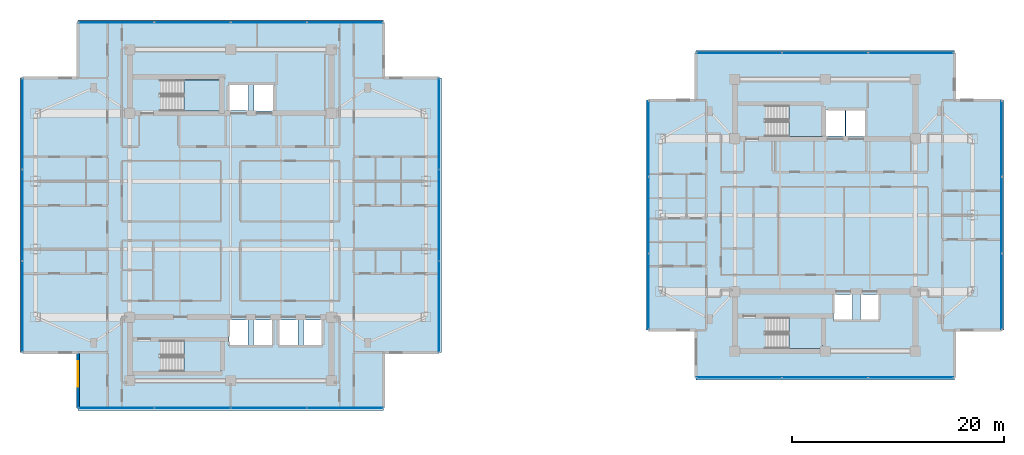
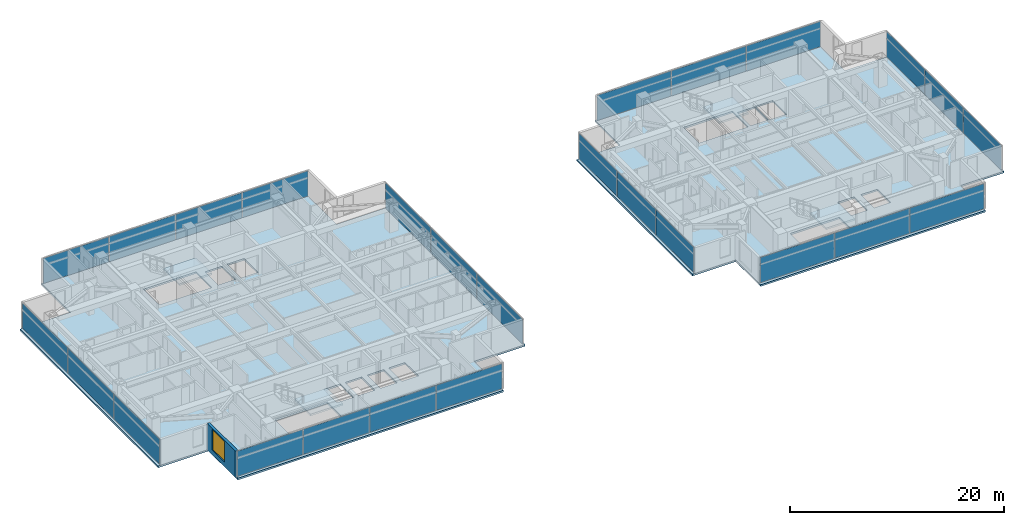
# One storey, part 11 of 24: 26 plates, 6 slabs, 1 wall, 1 window, 1 opening, 12 elements without a shape of their own.
"""IFC4 building model written with IfcOpenShell, lengths in metres."""

from ifc_helpers import new_model, si_unit, direction, frame, frame_2d, origin, origin_2d, place, context, subcontext, project, spatial, polyline, rectangle, outline, extrude, material, layer, layer_set, type_object, element, fill, aggregate, save


model = new_model("IFC4")

# Units and contexts
model_context = context("Model", 3, precision=1e-05, world=origin(), true_north=direction((0.0, 1.0)))
body_context = subcontext(model_context, "Body", "Model", "MODEL_VIEW")
ifc_project = project(units=[si_unit("LENGTHUNIT", "METRE"), si_unit("AREAUNIT", "SQUARE_METRE"), si_unit("VOLUMEUNIT", "CUBIC_METRE"), si_unit("PLANEANGLEUNIT", "RADIAN"), si_unit("MASSUNIT", "GRAM", prefix="KILO")], contexts=[model_context])

# Site, building, storey
site_placement = place(None, origin())
site = spatial("IfcSite", under=ifc_project, at=site_placement, CompositionType="ELEMENT")
building_placement = place(site_placement, origin())
building = spatial("IfcBuilding", under=site, at=building_placement, Name="Mirazonda Arch Towers", CompositionType="ELEMENT")
storey_placement = place(building_placement, frame((0.0, 0.0, 154.39990234375)))
storey = spatial("IfcBuildingStorey", under=building, at=storey_placement, Name="L43", CompositionType="ELEMENT", Elevation=154.39990234375)

# Curtain wall, plates
ifc_material_1 = material(Name="Anodised Aluminium and Low-E Glass", Category="aluminium")
curtain_wall_type = type_object("IfcCurtainWallType", Name="CW-RES-UNIT", PredefinedType="NOTDEFINED", material=ifc_material_1)
curtain_wall_1_placement = place(storey_placement, origin())
curtain_wall_1 = element("IfcCurtainWall", 1, at=curtain_wall_1_placement, inside=storey, type_object=curtain_wall_type, Name="L43 T1 S Facade CW-L43-T1-S", PredefinedType="NOTDEFINED")
ifc_material_2 = material(Name="Insulated Low-E Solar Glass", Category="glass")
ifc_layer_1 = layer(ifc_material_2, 0.0400390625, Name="PAN-CW-RES-UNIT")
ifc_layer_set_1 = layer_set([ifc_layer_1], Name="Insulated Low-E Solar Glass")
plate_type = type_object("IfcPlateType", Name="PAN-CW-RES-UNIT", PredefinedType="CURTAIN_PANEL", material=ifc_layer_set_1)
plate_1_placement = place(storey_placement, frame((31.27001953125, 9.830078125, 0.0751953125), z_axis=(0.0, 0.0, 1.0), x_axis=(-1.0, 0.0, 0.0)))
plate_1 = element("IfcPlate", 2, at=plate_1_placement, type_object=plate_type, Name="CW-104 panel 1.1", PredefinedType="CURTAIN_PANEL", context=body_context, shape_type="SweptSolid", body=[
    extrude(rectangle(XDim=7.080078125, YDim=0.0400390625, at=origin_2d()), origin(), (0.0, 0.0, 1.0), 2.8798828125),
])
plate_2_placement = place(storey_placement, frame((24.09619140625, 9.830078125, 0.0751953125), z_axis=(0.0, 0.0, 1.0), x_axis=(-1.0, 0.0, 0.0)))
plate_2 = element("IfcPlate", 3, at=plate_2_placement, type_object=plate_type, Name="CW-104 panel 2.1", PredefinedType="CURTAIN_PANEL", context=body_context, shape_type="SweptSolid", body=[
    extrude(rectangle(XDim=7.117431640625, YDim=0.0400390625, at=origin_2d()), origin(), (0.0, 0.0, 1.0), 2.8798828125),
])
plate_3_placement = place(storey_placement, frame((16.90380859375, 9.830078125, 0.0751953125), z_axis=(0.0, 0.0, 1.0), x_axis=(-1.0, 0.0, 0.0)))
plate_3 = element("IfcPlate", 4, at=plate_3_placement, type_object=plate_type, Name="CW-104 panel 3.1", PredefinedType="CURTAIN_PANEL", context=body_context, shape_type="SweptSolid", body=[
    extrude(rectangle(XDim=7.117431640625, YDim=0.0400390625, at=origin_2d()), origin(), (0.0, 0.0, 1.0), 2.8798828125),
])
plate_4_placement = place(storey_placement, frame((9.72998046875, 9.830078125, 0.0751953125), z_axis=(0.0, 0.0, 1.0), x_axis=(-1.0, 0.0, 0.0)))
plate_4 = element("IfcPlate", 5, at=plate_4_placement, type_object=plate_type, Name="CW-104 panel 4.1", PredefinedType="CURTAIN_PANEL", context=body_context, shape_type="SweptSolid", body=[
    extrude(rectangle(XDim=7.080078125, YDim=0.0400390625, at=origin_2d()), origin(), (0.0, 0.0, 1.0), 2.8798828125),
])
aggregate(curtain_wall_1, [plate_1, plate_2, plate_3, plate_4])

curtain_wall_2_placement = place(storey_placement, origin())
curtain_wall_2 = element("IfcCurtainWall", 6, at=curtain_wall_2_placement, inside=storey, type_object=curtain_wall_type, Name="L43 T1 E Facade CW-L43-T1-E", PredefinedType="NOTDEFINED")
plate_5_placement = place(storey_placement, frame((40.1298828125, 19.402099609375, 0.0751953125), z_axis=(0.0, 0.0, 1.0), x_axis=(0.0, 1.0, 0.0)))
plate_5 = element("IfcPlate", 7, at=plate_5_placement, type_object=plate_type, Name="CW-104 panel 1.1", PredefinedType="CURTAIN_PANEL", context=body_context, shape_type="SweptSolid", body=[
    extrude(rectangle(XDim=8.504150390625, YDim=0.0400390625, at=origin_2d()), origin(), (0.0, 0.0, 1.0), 2.8798828125),
])
plate_6_placement = place(storey_placement, frame((40.1298828125, 28.0, 0.0751953125), z_axis=(0.0, 0.0, 1.0), x_axis=(0.0, 1.0, 0.0)))
plate_6 = element("IfcPlate", 8, at=plate_6_placement, type_object=plate_type, Name="CW-104 panel 2.1", PredefinedType="CURTAIN_PANEL", context=body_context, shape_type="SweptSolid", body=[
    extrude(rectangle(XDim=8.541748046875, YDim=0.0400390625, at=origin_2d()), origin(), (0.0, 0.0, 1.0), 2.8798828125),
])
plate_7_placement = place(storey_placement, frame((40.1298828125, 36.597900390625, 0.0751953125), z_axis=(0.0, 0.0, 1.0), x_axis=(0.0, 1.0, 0.0)))
plate_7 = element("IfcPlate", 9, at=plate_7_placement, type_object=plate_type, Name="CW-104 panel 3.1", PredefinedType="CURTAIN_PANEL", context=body_context, shape_type="SweptSolid", body=[
    extrude(rectangle(XDim=8.504150390625, YDim=0.0400390625, at=origin_2d()), origin(), (0.0, 0.0, 1.0), 2.8798828125),
])
aggregate(curtain_wall_2, [plate_5, plate_6, plate_7])

curtain_wall_3_placement = place(storey_placement, origin())
curtain_wall_3 = element("IfcCurtainWall", 10, at=curtain_wall_3_placement, inside=storey, type_object=curtain_wall_type, Name="L43 T1 N Facade CW-L43-T1-N", PredefinedType="NOTDEFINED")
plate_8_placement = place(storey_placement, frame((9.72998046875, 46.169921875, 0.0751953125), z_axis=(0.0, 0.0, 1.0), x_axis=(1.0, 0.0, 0.0)))
plate_8 = element("IfcPlate", 11, at=plate_8_placement, type_object=plate_type, Name="CW-104 panel 1.1", PredefinedType="CURTAIN_PANEL", context=body_context, shape_type="SweptSolid", body=[
    extrude(rectangle(XDim=7.080078125, YDim=0.0400390625, at=origin_2d()), origin(), (0.0, 0.0, 1.0), 2.8798828125),
])
plate_9_placement = place(storey_placement, frame((16.90380859375, 46.169921875, 0.0751953125), z_axis=(0.0, 0.0, 1.0), x_axis=(1.0, 0.0, 0.0)))
plate_9 = element("IfcPlate", 12, at=plate_9_placement, type_object=plate_type, Name="CW-104 panel 2.1", PredefinedType="CURTAIN_PANEL", context=body_context, shape_type="SweptSolid", body=[
    extrude(rectangle(XDim=7.117431640625, YDim=0.0400390625, at=origin_2d()), origin(), (0.0, 0.0, 1.0), 2.8798828125),
])
plate_10_placement = place(storey_placement, frame((24.09619140625, 46.169921875, 0.0751953125), z_axis=(0.0, 0.0, 1.0), x_axis=(1.0, 0.0, 0.0)))
plate_10 = element("IfcPlate", 13, at=plate_10_placement, type_object=plate_type, Name="CW-104 panel 3.1", PredefinedType="CURTAIN_PANEL", context=body_context, shape_type="SweptSolid", body=[
    extrude(rectangle(XDim=7.117431640625, YDim=0.0400390625, at=origin_2d()), origin(), (0.0, 0.0, 1.0), 2.8798828125),
])
plate_11_placement = place(storey_placement, frame((31.27001953125, 46.169921875, 0.0751953125), z_axis=(0.0, 0.0, 1.0), x_axis=(1.0, 0.0, 0.0)))
plate_11 = element("IfcPlate", 14, at=plate_11_placement, type_object=plate_type, Name="CW-104 panel 4.1", PredefinedType="CURTAIN_PANEL", context=body_context, shape_type="SweptSolid", body=[
    extrude(rectangle(XDim=7.080078125, YDim=0.0400390625, at=origin_2d()), origin(), (0.0, 0.0, 1.0), 2.8798828125),
])
aggregate(curtain_wall_3, [plate_8, plate_9, plate_10, plate_11])

curtain_wall_4_placement = place(storey_placement, origin())
curtain_wall_4 = element("IfcCurtainWall", 15, at=curtain_wall_4_placement, inside=storey, type_object=curtain_wall_type, Name="L43 T1 W Facade CW-L43-T1-W", PredefinedType="NOTDEFINED")
plate_12_placement = place(storey_placement, frame((0.8701171875, 36.597900390625, 0.0751953125), z_axis=(0.0, 0.0, 1.0), x_axis=(0.0, -1.0, 0.0)))
plate_12 = element("IfcPlate", 16, at=plate_12_placement, type_object=plate_type, Name="CW-104 panel 1.1", PredefinedType="CURTAIN_PANEL", context=body_context, shape_type="SweptSolid", body=[
    extrude(rectangle(XDim=8.504150390625, YDim=0.0400390625, at=origin_2d()), origin(), (0.0, 0.0, 1.0), 2.8798828125),
])
plate_13_placement = place(storey_placement, frame((0.8701171875, 28.0, 0.0751953125), z_axis=(0.0, 0.0, 1.0), x_axis=(0.0, -1.0, 0.0)))
plate_13 = element("IfcPlate", 17, at=plate_13_placement, type_object=plate_type, Name="CW-104 panel 2.1", PredefinedType="CURTAIN_PANEL", context=body_context, shape_type="SweptSolid", body=[
    extrude(rectangle(XDim=8.541748046875, YDim=0.0400390625, at=origin_2d()), origin(), (0.0, 0.0, 1.0), 2.8798828125),
])
plate_14_placement = place(storey_placement, frame((0.8701171875, 19.402099609375, 0.0751953125), z_axis=(0.0, 0.0, 1.0), x_axis=(0.0, -1.0, 0.0)))
plate_14 = element("IfcPlate", 18, at=plate_14_placement, type_object=plate_type, Name="CW-104 panel 3.1", PredefinedType="CURTAIN_PANEL", context=body_context, shape_type="SweptSolid", body=[
    extrude(rectangle(XDim=8.504150390625, YDim=0.0400390625, at=origin_2d()), origin(), (0.0, 0.0, 1.0), 2.8798828125),
])
aggregate(curtain_wall_4, [plate_12, plate_13, plate_14])

curtain_wall_5_placement = place(storey_placement, origin())
curtain_wall_5 = element("IfcCurtainWall", 19, at=curtain_wall_5_placement, inside=storey, type_object=curtain_wall_type, Name="L43 T2 S Facade CW-L43-T2-S", PredefinedType="NOTDEFINED")
plate_15_placement = place(storey_placement, frame((84.5927734375, 12.70849609375, 0.0751953125), z_axis=(0.0, 0.0, 1.0), x_axis=(-1.0, 0.0, 0.0)))
plate_15 = element("IfcPlate", 20, at=plate_15_placement, type_object=plate_type, Name="CW-104 panel 1.1", PredefinedType="CURTAIN_PANEL", context=body_context, shape_type="SweptSolid", body=[
    extrude(rectangle(XDim=7.9990234375, YDim=0.0400390625, at=origin_2d()), origin(), (0.0, 0.0, 1.0), 2.8798828125),
])
plate_16_placement = place(storey_placement, frame((76.5, 12.70849609375, 0.0751953125), z_axis=(0.0, 0.0, 1.0), x_axis=(-1.0, 0.0, 0.0)))
plate_16 = element("IfcPlate", 21, at=plate_16_placement, type_object=plate_type, Name="CW-104 panel 2.1", PredefinedType="CURTAIN_PANEL", context=body_context, shape_type="SweptSolid", body=[
    extrude(rectangle(XDim=8.03662109375, YDim=0.0400390625, at=origin_2d()), origin(), (0.0, 0.0, 1.0), 2.8798828125),
])
plate_17_placement = place(storey_placement, frame((68.4072265625, 12.70849609375, 0.0751953125), z_axis=(0.0, 0.0, 1.0), x_axis=(-1.0, 0.0, 0.0)))
plate_17 = element("IfcPlate", 22, at=plate_17_placement, type_object=plate_type, Name="CW-104 panel 3.1", PredefinedType="CURTAIN_PANEL", context=body_context, shape_type="SweptSolid", body=[
    extrude(rectangle(XDim=7.9990234375, YDim=0.0400390625, at=origin_2d()), origin(), (0.0, 0.0, 1.0), 2.8798828125),
])
aggregate(curtain_wall_5, [plate_15, plate_16, plate_17])

curtain_wall_6_placement = place(storey_placement, origin())
curtain_wall_6 = element("IfcCurtainWall", 23, at=curtain_wall_6_placement, inside=storey, type_object=curtain_wall_type, Name="L43 T2 E Facade CW-L43-T2-E", PredefinedType="NOTDEFINED")
plate_18_placement = place(storey_placement, frame((93.132568359375, 20.80126953125, 0.0751953125), z_axis=(0.0, 0.0, 1.0), x_axis=(0.0, 1.0, 0.0)))
plate_18 = element("IfcPlate", 24, at=plate_18_placement, type_object=plate_type, Name="CW-104 panel 1.1", PredefinedType="CURTAIN_PANEL", context=body_context, shape_type="SweptSolid", body=[
    extrude(rectangle(XDim=7.10498046875, YDim=0.0400390625, at=origin_2d()), origin(), (0.0, 0.0, 1.0), 2.8798828125),
])
plate_19_placement = place(storey_placement, frame((93.132568359375, 28.0, 0.0751953125), z_axis=(0.0, 0.0, 1.0), x_axis=(0.0, 1.0, 0.0)))
plate_19 = element("IfcPlate", 25, at=plate_19_placement, type_object=plate_type, Name="CW-104 panel 2.1", PredefinedType="CURTAIN_PANEL", context=body_context, shape_type="SweptSolid", body=[
    extrude(rectangle(XDim=7.142578125, YDim=0.0400390625, at=origin_2d()), origin(), (0.0, 0.0, 1.0), 2.8798828125),
])
plate_20_placement = place(storey_placement, frame((93.132568359375, 35.19873046875, 0.0751953125), z_axis=(0.0, 0.0, 1.0), x_axis=(0.0, 1.0, 0.0)))
plate_20 = element("IfcPlate", 26, at=plate_20_placement, type_object=plate_type, Name="CW-104 panel 3.1", PredefinedType="CURTAIN_PANEL", context=body_context, shape_type="SweptSolid", body=[
    extrude(rectangle(XDim=7.10498046875, YDim=0.0400390625, at=origin_2d()), origin(), (0.0, 0.0, 1.0), 2.8798828125),
])
aggregate(curtain_wall_6, [plate_18, plate_19, plate_20])

curtain_wall_7_placement = place(storey_placement, origin())
curtain_wall_7 = element("IfcCurtainWall", 27, at=curtain_wall_7_placement, inside=storey, type_object=curtain_wall_type, Name="L43 T2 N Facade CW-L43-T2-N", PredefinedType="NOTDEFINED")
plate_21_placement = place(storey_placement, frame((68.4072265625, 43.29150390625, 0.0751953125), z_axis=(0.0, 0.0, 1.0), x_axis=(1.0, 0.0, 0.0)))
plate_21 = element("IfcPlate", 28, at=plate_21_placement, type_object=plate_type, Name="CW-104 panel 1.1", PredefinedType="CURTAIN_PANEL", context=body_context, shape_type="SweptSolid", body=[
    extrude(rectangle(XDim=7.9990234375, YDim=0.0400390625, at=origin_2d()), origin(), (0.0, 0.0, 1.0), 2.8798828125),
])
plate_22_placement = place(storey_placement, frame((76.5, 43.29150390625, 0.0751953125), z_axis=(0.0, 0.0, 1.0), x_axis=(1.0, 0.0, 0.0)))
plate_22 = element("IfcPlate", 29, at=plate_22_placement, type_object=plate_type, Name="CW-104 panel 2.1", PredefinedType="CURTAIN_PANEL", context=body_context, shape_type="SweptSolid", body=[
    extrude(rectangle(XDim=8.03662109375, YDim=0.0400390625, at=origin_2d()), origin(), (0.0, 0.0, 1.0), 2.8798828125),
])
plate_23_placement = place(storey_placement, frame((84.5927734375, 43.29150390625, 0.0751953125), z_axis=(0.0, 0.0, 1.0), x_axis=(1.0, 0.0, 0.0)))
plate_23 = element("IfcPlate", 30, at=plate_23_placement, type_object=plate_type, Name="CW-104 panel 3.1", PredefinedType="CURTAIN_PANEL", context=body_context, shape_type="SweptSolid", body=[
    extrude(rectangle(XDim=7.9990234375, YDim=0.0400390625, at=origin_2d()), origin(), (0.0, 0.0, 1.0), 2.8798828125),
])
aggregate(curtain_wall_7, [plate_21, plate_22, plate_23])

curtain_wall_8_placement = place(storey_placement, origin())
curtain_wall_8 = element("IfcCurtainWall", 31, at=curtain_wall_8_placement, inside=storey, type_object=curtain_wall_type, Name="L43 T2 W Facade CW-L43-T2-W", PredefinedType="NOTDEFINED")
plate_24_placement = place(storey_placement, frame((59.867431640625, 35.19873046875, 0.0751953125), z_axis=(0.0, 0.0, 1.0), x_axis=(0.0, -1.0, 0.0)))
plate_24 = element("IfcPlate", 32, at=plate_24_placement, type_object=plate_type, Name="CW-104 panel 1.1", PredefinedType="CURTAIN_PANEL", context=body_context, shape_type="SweptSolid", body=[
    extrude(rectangle(XDim=7.10498046875, YDim=0.0400390625, at=origin_2d()), origin(), (0.0, 0.0, 1.0), 2.8798828125),
])
plate_25_placement = place(storey_placement, frame((59.867431640625, 28.0, 0.0751953125), z_axis=(0.0, 0.0, 1.0), x_axis=(0.0, -1.0, 0.0)))
plate_25 = element("IfcPlate", 33, at=plate_25_placement, type_object=plate_type, Name="CW-104 panel 2.1", PredefinedType="CURTAIN_PANEL", context=body_context, shape_type="SweptSolid", body=[
    extrude(rectangle(XDim=7.142578125, YDim=0.0400390625, at=origin_2d()), origin(), (0.0, 0.0, 1.0), 2.8798828125),
])
plate_26_placement = place(storey_placement, frame((59.867431640625, 20.80126953125, 0.0751953125), z_axis=(0.0, 0.0, 1.0), x_axis=(0.0, -1.0, 0.0)))
plate_26 = element("IfcPlate", 34, at=plate_26_placement, type_object=plate_type, Name="CW-104 panel 3.1", PredefinedType="CURTAIN_PANEL", context=body_context, shape_type="SweptSolid", body=[
    extrude(rectangle(XDim=7.10498046875, YDim=0.0400390625, at=origin_2d()), origin(), (0.0, 0.0, 1.0), 2.8798828125),
])
aggregate(curtain_wall_8, [plate_24, plate_25, plate_26])

# Stair, slab
ifc_material_3 = material(Name="Concrete C40/50", Category="concrete")
stair_type = type_object("IfcStairType", Name="STAIR-CORE-1400", PredefinedType="HALF_TURN_STAIR", material=ifc_material_3)
stair_1_placement = place(storey_placement, origin())
stair_1 = element("IfcStair", 35, at=stair_1_placement, inside=storey, type_object=stair_type, Name="L43 Protected Exit Stair ST-T1N", PredefinedType="HALF_TURN_STAIR")
ifc_layer_2 = layer(ifc_material_3, 0.18994140625, Name="SLAB-LANDING-190")
ifc_layer_set_2 = layer_set([ifc_layer_2], Name="Concrete C40/50")
slab_type_1 = type_object("IfcSlabType", Name="SLAB-LANDING-190", PredefinedType="LANDING", material=ifc_layer_set_2)
slab_1_placement = place(storey_placement, frame((0.0, 0.0, 1.425048828125)))
slab_1 = element("IfcSlab", 36, at=slab_1_placement, type_object=slab_type_1, Name="ST-T1N landing 1", PredefinedType="LANDING", context=body_context, shape_type="SweptSolid", body=[
    extrude(outline(polyline([(16.090087890625, 37.820068359375), (19.60009765625, 37.820068359375), (19.60009765625, 40.760009765625), (16.090087890625, 40.760009765625), (16.090087890625, 37.820068359375)])), origin(), (0.0, 0.0, 1.0), 0.199951171875),
])
aggregate(stair_1, [slab_1])

stair_2_placement = place(storey_placement, origin())
stair_2 = element("IfcStair", 37, at=stair_2_placement, inside=storey, type_object=stair_type, Name="L43 Protected Exit Stair ST-T1S", PredefinedType="HALF_TURN_STAIR")
slab_2_placement = place(storey_placement, frame((0.0, 0.0, 1.425048828125)))
slab_2 = element("IfcSlab", 38, at=slab_2_placement, type_object=slab_type_1, Name="ST-T1S landing 1", PredefinedType="LANDING", context=body_context, shape_type="SweptSolid", body=[
    extrude(outline(polyline([(16.090087890625, 13.25), (19.60009765625, 13.25), (19.60009765625, 16.18994140625), (16.090087890625, 16.18994140625), (16.090087890625, 13.25)])), origin(), (0.0, 0.0, 1.0), 0.199951171875),
])
aggregate(stair_2, [slab_2])

stair_3_placement = place(storey_placement, origin())
stair_3 = element("IfcStair", 39, at=stair_3_placement, inside=storey, type_object=stair_type, Name="L43 Protected Exit Stair ST-T2N", PredefinedType="HALF_TURN_STAIR")
slab_3_placement = place(storey_placement, frame((0.0, 0.0, 1.425048828125)))
slab_3 = element("IfcSlab", 40, at=slab_3_placement, type_object=slab_type_1, Name="ST-T2N landing 1", PredefinedType="LANDING", context=body_context, shape_type="SweptSolid", body=[
    extrude(outline(polyline([(73.090087890625, 35.419921875), (76.22998046875, 35.419921875), (76.22998046875, 38.360107421875), (73.090087890625, 38.360107421875), (73.090087890625, 35.419921875)])), origin(), (0.0, 0.0, 1.0), 0.199951171875),
])
aggregate(stair_3, [slab_3])

stair_4_placement = place(storey_placement, origin())
stair_4 = element("IfcStair", 41, at=stair_4_placement, inside=storey, type_object=stair_type, Name="L43 Protected Exit Stair ST-T2S", PredefinedType="HALF_TURN_STAIR")
slab_4_placement = place(storey_placement, frame((0.0, 0.0, 1.425048828125)))
slab_4 = element("IfcSlab", 42, at=slab_4_placement, type_object=slab_type_1, Name="ST-T2S landing 1", PredefinedType="LANDING", context=body_context, shape_type="SweptSolid", body=[
    extrude(outline(polyline([(73.090087890625, 15.419921875), (76.22998046875, 15.419921875), (76.22998046875, 18.360107421875), (73.090087890625, 18.360107421875), (73.090087890625, 15.419921875)])), origin(), (0.0, 0.0, 1.0), 0.199951171875),
])
aggregate(stair_4, [slab_4])

# Slabs
ifc_layer_3 = layer(ifc_material_3, 0.199951171875, Name="SLAB-TWR-200")
ifc_layer_set_3 = layer_set([ifc_layer_3], Name="Concrete C40/50")
slab_type_2 = type_object("IfcSlabType", Name="SLAB-TWR-200", PredefinedType="FLOOR", material=ifc_layer_set_3)
slab_5_placement = place(storey_placement, frame((0.0, 0.0, -0.199951171875)))
element("IfcSlab", 43, at=slab_5_placement, inside=storey, type_object=slab_type_2, Name="L43 Tower 1 Floor Slab", PredefinedType="FLOOR", context=body_context, shape_type="SweptSolid", body=[
    extrude(outline(polyline([(6.114990234375, 9.610107421875), (34.885009765625, 9.610107421875), (34.885009765625, 15.074951171875), (40.35009765625, 15.074951171875), (40.35009765625, 40.925048828125), (34.885009765625, 40.925048828125), (34.885009765625, 46.389892578125), (6.114990234375, 46.389892578125), (6.114990234375, 40.925048828125), (0.64990234375, 40.925048828125), (0.64990234375, 15.074951171875), (6.114990234375, 15.074951171875), (6.114990234375, 9.610107421875)]), holes=[polyline([(27.360107421875, 18.139892578125), (29.139892578125, 18.139892578125), (29.139892578125, 15.659912109375), (27.360107421875, 15.659912109375), (27.360107421875, 18.139892578125)]), polyline([(25.06005859375, 18.139892578125), (26.840087890625, 18.139892578125), (26.840087890625, 15.659912109375), (25.06005859375, 15.659912109375), (25.06005859375, 18.139892578125)]), polyline([(22.7099609375, 40.389892578125), (24.590087890625, 40.389892578125), (24.590087890625, 37.81005859375), (22.7099609375, 37.81005859375), (22.7099609375, 40.389892578125)]), polyline([(22.659912109375, 18.139892578125), (24.43994140625, 18.139892578125), (24.43994140625, 15.659912109375), (22.659912109375, 15.659912109375), (22.659912109375, 18.139892578125)]), polyline([(20.31005859375, 40.340087890625), (22.18994140625, 40.340087890625), (22.18994140625, 37.860107421875), (20.31005859375, 37.860107421875), (20.31005859375, 40.340087890625)]), polyline([(20.360107421875, 18.139892578125), (22.139892578125, 18.139892578125), (22.139892578125, 15.659912109375), (20.360107421875, 15.659912109375), (20.360107421875, 18.139892578125)]), polyline([(13.925048828125, 13.25), (13.925048828125, 16.18994140625), (19.60009765625, 16.18994140625), (19.60009765625, 13.25), (13.925048828125, 13.25)]), polyline([(13.925048828125, 37.820068359375), (13.925048828125, 40.760009765625), (19.60009765625, 40.760009765625), (19.60009765625, 37.820068359375), (13.925048828125, 37.820068359375)])]), origin(), (0.0, 0.0, 1.0), 0.199951171875),
])
slab_6_placement = place(storey_placement, frame((0.0, 0.0, -0.199951171875)))
element("IfcSlab", 44, at=slab_6_placement, inside=storey, type_object=slab_type_2, Name="L43 Tower 2 Floor Slab", PredefinedType="FLOOR", context=body_context, shape_type="SweptSolid", body=[
    extrude(outline(polyline([(64.332763671875, 12.488525390625), (88.667236328125, 12.488525390625), (88.667236328125, 17.173583984375), (93.3525390625, 17.173583984375), (93.3525390625, 38.826416015625), (88.667236328125, 38.826416015625), (88.667236328125, 43.511474609375), (64.332763671875, 43.511474609375), (64.332763671875, 38.826416015625), (59.6474609375, 38.826416015625), (59.6474609375, 17.173583984375), (64.332763671875, 17.173583984375), (64.332763671875, 12.488525390625)]), holes=[polyline([(79.81005859375, 20.5400390625), (81.590087890625, 20.5400390625), (81.590087890625, 18.06005859375), (79.81005859375, 18.06005859375), (79.81005859375, 20.5400390625)]), polyline([(78.47998046875, 37.989990234375), (80.360107421875, 37.989990234375), (80.360107421875, 35.409912109375), (78.47998046875, 35.409912109375), (78.47998046875, 37.989990234375)]), polyline([(77.31005859375, 20.5400390625), (79.090087890625, 20.5400390625), (79.090087890625, 18.06005859375), (77.31005859375, 18.06005859375), (77.31005859375, 20.5400390625)]), polyline([(76.510009765625, 35.4599609375), (76.510009765625, 37.93994140625), (78.389892578125, 37.93994140625), (78.389892578125, 35.4599609375), (76.510009765625, 35.4599609375)]), polyline([(76.22998046875, 15.419921875), (70.925048828125, 15.419921875), (70.925048828125, 18.360107421875), (76.22998046875, 18.360107421875), (76.22998046875, 15.419921875)]), polyline([(70.925048828125, 35.419921875), (70.925048828125, 38.360107421875), (76.22998046875, 38.360107421875), (76.22998046875, 35.419921875), (70.925048828125, 35.419921875)])]), origin(), (0.0, 0.0, 1.0), 0.199951171875),
])

# Wall, opening, window
ifc_material_4 = material(Name="Precast Concrete C40/50", Category="concrete")
ifc_layer_4 = layer(ifc_material_4, 0.280029296875, Name="WALL-EXT-WALL-280")
ifc_layer_set_4 = layer_set([ifc_layer_4], Name="Precast Concrete C40/50")
wall_type = type_object("IfcWallType", Name="WALL-EXT-WALL-280", PredefinedType="SOLIDWALL", material=ifc_layer_set_4)
wall_placement = place(storey_placement, frame((6.114990234375, 15.074951171875, 0.0), z_axis=(0.0, 0.0, 1.0), x_axis=(0.0, -1.0, 0.0)))
wall = element("IfcWall", 45, at=wall_placement, inside=storey, type_object=wall_type, Name="L43 T1 Notched SW Corner Wall WL-L43-T1-CSW", PredefinedType="SOLIDWALL", context=body_context, shape_type="SweptSolid", body=[
    extrude(rectangle(XDim=5.244873046875, YDim=0.280029296875, at=frame_2d((2.62255859375, 0.0))), origin(), (0.0, 0.0, 1.0), 3.030029296875),
])
opening_placement = place(wall_placement, frame((0.85009765625, 0.0, 0.530029296875)))
opening = element("IfcOpeningElement", 46, at=opening_placement, cuts=wall, Name="Opening WN-121", PredefinedType="OPENING", context=body_context, shape_type="SweptSolid", body=[
    extrude(rectangle(XDim=2.39990234375, YDim=2.35009765625, at=frame_2d((1.199951171875, 1.175048828125))), frame((0.0, 0.14990234375, 0.0), z_axis=(0.0, -1.0, 0.0), x_axis=(1.0, 0.0, 0.0)), (0.0, 0.0, 1.0), 0.300048828125),
])
window_type = type_object("IfcWindowType", Name="WIN-PENT-2400x2350", PartitioningType="SINGLE_PANEL", PredefinedType="WINDOW", material=ifc_material_2)
window_placement = place(opening_placement, origin())
window = element("IfcWindow", 47, at=window_placement, inside=storey, type_object=window_type, Name="L43 Punched Facade Window WN-L43-T1-CSW", OverallHeight=2.35009765625, OverallWidth=2.39990234375, PartitioningType="SINGLE_PANEL", PredefinedType="WINDOW", context=body_context, shape_type="SweptSolid", body=[
    extrude(rectangle(XDim=2.39990234375, YDim=2.35009765625, at=frame_2d((1.199951171875, 1.175048828125))), frame((0.0, 0.030029296875, 0.0), z_axis=(0.0, -1.0, 0.0), x_axis=(1.0, 0.0, 0.0)), (0.0, 0.0, 1.0), 0.06005859375),
])
fill(opening, window)

save(model, "model.ifc")
